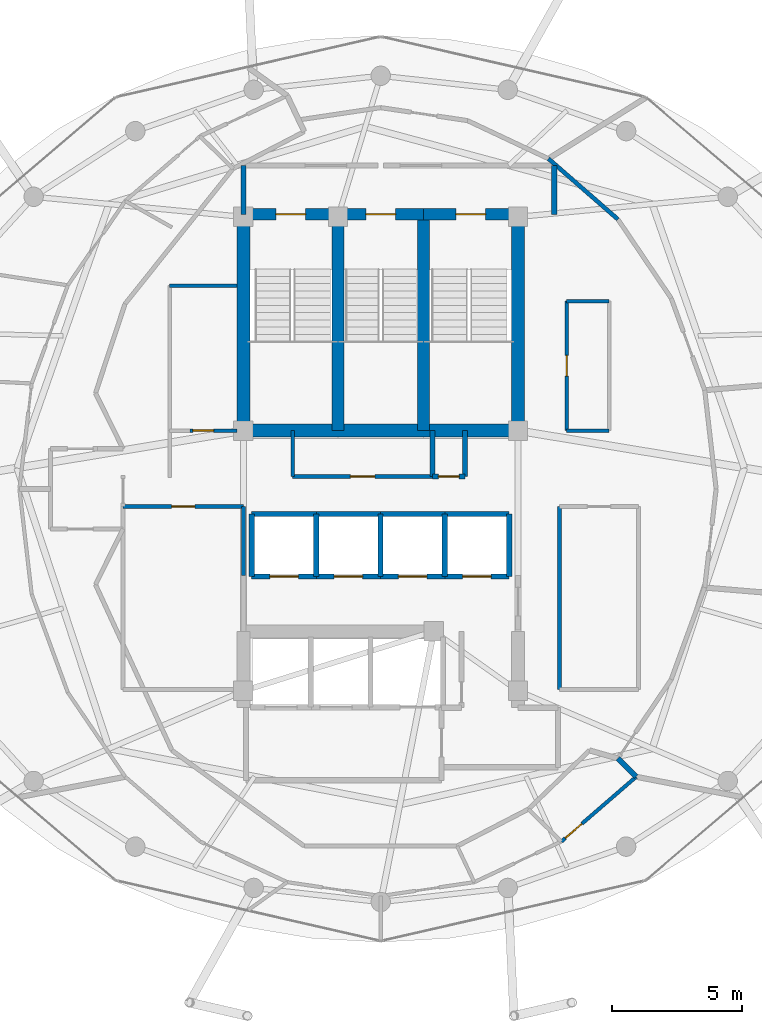
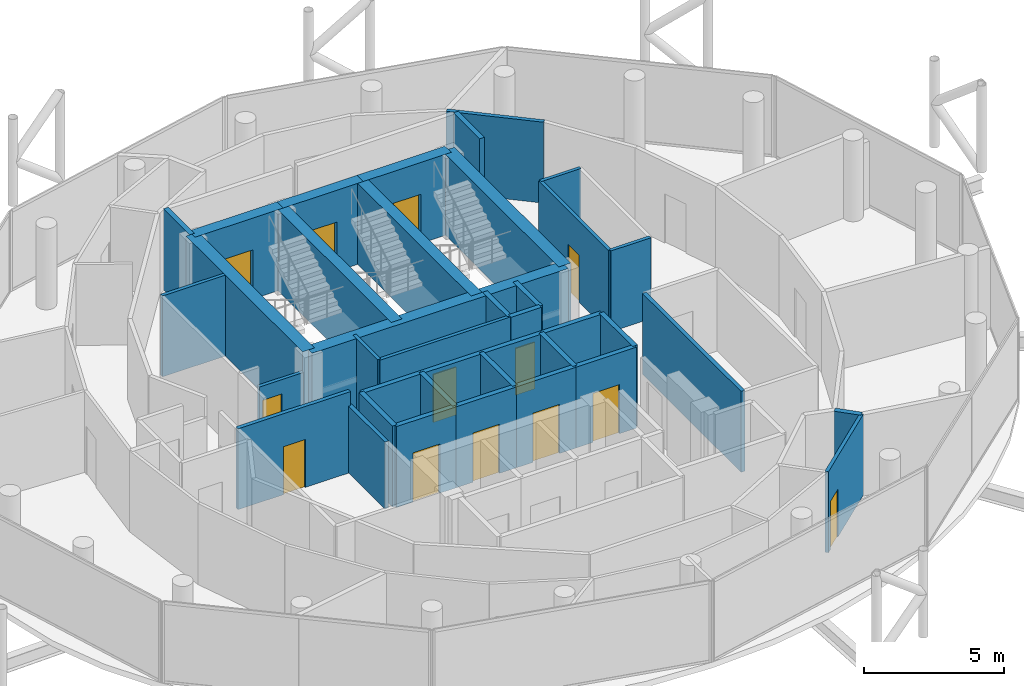
# One storey, part 21 of 24: 39 walls, 13 doors, 13 openings.
"""IFC4 building model written with IfcOpenShell, lengths in metres."""

from ifc_helpers import new_model, si_unit, direction, frame, frame_2d, origin, place, context, subcontext, project, spatial, rectangle, extrude, material, layer, layer_set, type_object, element, fill, save


model = new_model("IFC4")

# Units and contexts
model_context = context("Model", 3, precision=1e-05, world=origin(), true_north=direction((0.0, 1.0)))
body_context = subcontext(model_context, "Body", "Model", "MODEL_VIEW")
ifc_project = project(units=[si_unit("LENGTHUNIT", "METRE"), si_unit("AREAUNIT", "SQUARE_METRE"), si_unit("VOLUMEUNIT", "CUBIC_METRE"), si_unit("PLANEANGLEUNIT", "RADIAN"), si_unit("MASSUNIT", "GRAM", prefix="KILO")], contexts=[model_context])

# Site, building, storey
site_placement = place(None, origin())
site = spatial("IfcSite", under=ifc_project, at=site_placement, CompositionType="ELEMENT")
building_placement = place(site_placement, origin())
building = spatial("IfcBuilding", under=site, at=building_placement, Name="Nuhasar Tower", CompositionType="ELEMENT")
storey_placement = place(building_placement, frame((0.0, 0.0, 282.199951171875)))
storey = spatial("IfcBuildingStorey", under=building, at=storey_placement, Name="L70", CompositionType="ELEMENT", Elevation=282.199951171875)

# Wall, opening, door
ifc_material_1 = material(Name="Concrete C50/60", Category="concrete")
ifc_layer_1 = layer(ifc_material_1, 0.449951171875)
ifc_layer_set_1 = layer_set([ifc_layer_1], Name="Concrete C50/60")
wall_type_1 = type_object("IfcWallType", Name="WL-CORE-450", PredefinedType="SHEAR", material=ifc_layer_set_1)
wall_1_placement = place(storey_placement, frame((37.35009765625, 37.39990234375, 0.0), z_axis=(0.0, 0.0, 1.0), x_axis=(-1.0, 0.0, 0.0)))
wall_1 = element("IfcWall", 1, at=wall_1_placement, inside=storey, type_object=wall_type_1, Name="L70 Stairwell Shear Wall ST01-N", PredefinedType="SHEAR", context=body_context, shape_type="SweptSolid", body=[
    extrude(rectangle(XDim=3.650146484375, YDim=0.449951171875, at=frame_2d((1.8251953125, 0.0))), origin(), (0.0, 0.0, 1.0), 3.5400390625),
])
opening_1_placement = place(wall_1_placement, frame((1.25, 0.0, 0.0)))
opening_1 = element("IfcOpeningElement", 2, at=opening_1_placement, cuts=wall_1, Name="Opening DS-01", PredefinedType="OPENING", context=body_context, shape_type="SweptSolid", body=[
    extrude(rectangle(XDim=1.14990234375, YDim=2.14990234375, at=frame_2d((0.574951171875, 1.074951171875))), frame((0.0, 0.23486328125, 0.0), z_axis=(0.0, -1.0, 0.0), x_axis=(1.0, 0.0, 0.0)), (0.0, 0.0, 1.0), 0.469970703125),
])
ifc_material_2 = material(Name="Steel S355", Category="steel")
door_type_1 = type_object("IfcDoorType", Name="DR-STAIR-FD120-1150", OperationType="NOTDEFINED", PredefinedType="DOOR", material=ifc_material_2)
door_1_placement = place(opening_1_placement, origin())
door_1 = element("IfcDoor", 3, at=door_1_placement, inside=storey, type_object=door_type_1, Name="L70 Exit Stair ST-01 Door", OperationType="SINGLE_SWING_RIGHT", OverallHeight=2.14990234375, OverallWidth=1.14990234375, PredefinedType="DOOR", context=body_context, shape_type="SweptSolid", body=[
    extrude(rectangle(XDim=1.14990234375, YDim=2.14990234375, at=frame_2d((0.574951171875, 1.074951171875))), frame((0.0, 0.02490234375, 0.0), z_axis=(0.0, -1.0, 0.0), x_axis=(1.0, 0.0, 0.0)), (0.0, 0.0, 1.0), 0.050048828125),
])
fill(opening_1, door_1)

# Wall
wall_2_placement = place(storey_placement, frame((37.35009765625, 29.050048828125, 0.0), z_axis=(0.0, 0.0, 1.0), x_axis=(0.0, 1.0, 0.0)))
element("IfcWall", 4, at=wall_2_placement, inside=storey, type_object=wall_type_1, Name="L70 Stairwell Shear Wall ST01-E", PredefinedType="SHEAR", context=body_context, shape_type="SweptSolid", body=[
    extrude(rectangle(XDim=8.349853515625, YDim=0.449951171875, at=frame_2d((4.1748046875, 0.0))), origin(), (0.0, 0.0, 1.0), 3.5400390625),
])

# Wall, opening, door
wall_3_placement = place(storey_placement, frame((40.64990234375, 37.39990234375, 0.0), z_axis=(0.0, 0.0, 1.0), x_axis=(-1.0, 0.0, 0.0)))
wall_3 = element("IfcWall", 5, at=wall_3_placement, inside=storey, type_object=wall_type_1, Name="L70 Stairwell Shear Wall ST03-N", PredefinedType="SHEAR", context=body_context, shape_type="SweptSolid", body=[
    extrude(rectangle(XDim=3.2998046875, YDim=0.449951171875, at=frame_2d((1.64990234375, 0.0))), origin(), (0.0, 0.0, 1.0), 3.5400390625),
])
opening_2_placement = place(wall_3_placement, frame((1.074951171875, 0.0, 0.0)))
opening_2 = element("IfcOpeningElement", 6, at=opening_2_placement, cuts=wall_3, Name="Opening DS-01", PredefinedType="OPENING", context=body_context, shape_type="SweptSolid", body=[
    extrude(rectangle(XDim=1.14990234375, YDim=2.14990234375, at=frame_2d((0.574951171875, 1.074951171875))), frame((0.0, 0.23486328125, 0.0), z_axis=(0.0, -1.0, 0.0), x_axis=(1.0, 0.0, 0.0)), (0.0, 0.0, 1.0), 0.469970703125),
])
door_2_placement = place(opening_2_placement, origin())
door_2 = element("IfcDoor", 7, at=door_2_placement, inside=storey, type_object=door_type_1, Name="L70 Exit Stair ST-03 Door", OperationType="SINGLE_SWING_RIGHT", OverallHeight=2.14990234375, OverallWidth=1.14990234375, PredefinedType="DOOR", context=body_context, shape_type="SweptSolid", body=[
    extrude(rectangle(XDim=1.14990234375, YDim=2.14990234375, at=frame_2d((0.574951171875, 1.074951171875))), frame((0.0, 0.02490234375, 0.0), z_axis=(0.0, -1.0, 0.0), x_axis=(1.0, 0.0, 0.0)), (0.0, 0.0, 1.0), 0.050048828125),
])
fill(opening_2, door_2)

# Wall
wall_4_placement = place(storey_placement, frame((40.64990234375, 29.050048828125, 0.0), z_axis=(0.0, 0.0, 1.0), x_axis=(0.0, 1.0, 0.0)))
element("IfcWall", 8, at=wall_4_placement, inside=storey, type_object=wall_type_1, Name="L70 Stairwell Shear Wall ST03-E", PredefinedType="SHEAR", context=body_context, shape_type="SweptSolid", body=[
    extrude(rectangle(XDim=8.349853515625, YDim=0.449951171875, at=frame_2d((4.1748046875, 0.0))), origin(), (0.0, 0.0, 1.0), 3.5400390625),
])

# Wall, opening, door
wall_5_placement = place(storey_placement, frame((44.300048828125, 37.39990234375, 0.0), z_axis=(0.0, 0.0, 1.0), x_axis=(-1.0, 0.0, 0.0)))
wall_5 = element("IfcWall", 9, at=wall_5_placement, inside=storey, type_object=wall_type_1, Name="L70 Stairwell Shear Wall ST02-N", PredefinedType="SHEAR", context=body_context, shape_type="SweptSolid", body=[
    extrude(rectangle(XDim=3.650146484375, YDim=0.449951171875, at=frame_2d((1.8251953125, 0.0))), origin(), (0.0, 0.0, 1.0), 3.5400390625),
])
opening_3_placement = place(wall_5_placement, frame((1.25, 0.0, 0.0)))
opening_3 = element("IfcOpeningElement", 10, at=opening_3_placement, cuts=wall_5, Name="Opening DS-01", PredefinedType="OPENING", context=body_context, shape_type="SweptSolid", body=[
    extrude(rectangle(XDim=1.14990234375, YDim=2.14990234375, at=frame_2d((0.574951171875, 1.074951171875))), frame((0.0, 0.23486328125, 0.0), z_axis=(0.0, -1.0, 0.0), x_axis=(1.0, 0.0, 0.0)), (0.0, 0.0, 1.0), 0.469970703125),
])
door_3_placement = place(opening_3_placement, origin())
door_3 = element("IfcDoor", 11, at=door_3_placement, inside=storey, type_object=door_type_1, Name="L70 Exit Stair ST-02 Door", OperationType="SINGLE_SWING_LEFT", OverallHeight=2.14990234375, OverallWidth=1.14990234375, PredefinedType="DOOR", context=body_context, shape_type="SweptSolid", body=[
    extrude(rectangle(XDim=1.14990234375, YDim=2.14990234375, at=frame_2d((0.574951171875, 1.074951171875))), frame((0.0, 0.02490234375, 0.0), z_axis=(0.0, -1.0, 0.0), x_axis=(1.0, 0.0, 0.0)), (0.0, 0.0, 1.0), 0.050048828125),
])
fill(opening_3, door_3)

# Walls
ifc_layer_2 = layer(ifc_material_1, 0.5)
ifc_layer_set_2 = layer_set([ifc_layer_2], Name="Concrete C50/60")
wall_type_2 = type_object("IfcWallType", Name="WL-CORE-500", PredefinedType="SHEAR", material=ifc_layer_set_2)
for number, where, z_axis, x_axis, name in (
    (12, (33.699951171875, 29.050048828125, 0.0), (0.0, 0.0, 1.0), (0.0, 1.0, 0.0), "L70 Core Shear Wall CW-NW CW-500"),
    (13, (44.300048828125, 29.050048828125, 0.0), (0.0, 0.0, 1.0), (0.0, 1.0, 0.0), "L70 Core Shear Wall CW-NE CW-500"),
):
    element("IfcWall", number, at=place(storey_placement, frame(where, z_axis=z_axis, x_axis=x_axis)), inside=storey, type_object=wall_type_2, Name=name, PredefinedType="SHEAR", context=body_context, shape_type="SweptSolid", body=[
        extrude(rectangle(XDim=8.349853515625, YDim=0.5, at=frame_2d((4.1748046875, 0.0))), origin(), (0.0, 0.0, 1.0), 3.5400390625),
    ])
wall_6_placement = place(storey_placement, frame((33.699951171875, 29.050048828125, 0.0), z_axis=(0.0, 0.0, 1.0), x_axis=(1.0, 0.0, 0.0)))
element("IfcWall", 14, at=wall_6_placement, inside=storey, type_object=wall_type_2, Name="L70 Core Shear Wall CW-N1 CW-500", PredefinedType="SHEAR", context=body_context, shape_type="SweptSolid", body=[
    extrude(rectangle(XDim=10.60009765625, YDim=0.5, at=frame_2d((5.300048828125, 0.0))), origin(), (0.0, 0.0, 1.0), 3.5400390625),
])
ifc_material_3 = material(Name="Gypsum Board", Category="gypsum")
ifc_layer_3 = layer(ifc_material_3, 0.159912109375)
ifc_layer_set_3 = layer_set([ifc_layer_3], Name="Gypsum Board")
wall_type_3 = type_object("IfcWallType", Name="WL-CORR-160", PredefinedType="PARTITIONING", material=ifc_layer_set_3)
wall_7_placement = place(storey_placement, frame((33.699951171875, 23.449951171875, 0.0), z_axis=(0.0, 0.0, 1.0), x_axis=(0.0, 1.0, 0.0)))
element("IfcWall", 15, at=wall_7_placement, inside=storey, type_object=wall_type_3, Name="L70 Interior Partition RECL-B1-E", PredefinedType="PARTITIONING", context=body_context, shape_type="SweptSolid", body=[
    extrude(rectangle(XDim=2.670166015625, YDim=0.159912109375, at=frame_2d((1.3349609375, 0.0))), origin(), (0.0, 0.0, 1.0), 2.925048828125),
])

# Wall, opening, door
wall_8_placement = place(storey_placement, frame((33.699951171875, 26.1201171875, 0.0), z_axis=(0.0, 0.0, 1.0), x_axis=(-1.0, 0.0, 0.0)))
wall_8 = element("IfcWall", 16, at=wall_8_placement, inside=storey, type_object=wall_type_3, Name="L70 Interior Partition RECL-B1-N", PredefinedType="PARTITIONING", context=body_context, shape_type="SweptSolid", body=[
    extrude(rectangle(XDim=4.64990234375, YDim=0.159912109375, at=frame_2d((2.324951171875, 0.0))), origin(), (0.0, 0.0, 1.0), 3.5400390625),
])
opening_4_placement = place(wall_8_placement, frame((1.875, 0.0, 0.0)))
opening_4 = element("IfcOpeningElement", 17, at=opening_4_placement, cuts=wall_8, Name="Opening DR-01", PredefinedType="OPENING", context=body_context, shape_type="SweptSolid", body=[
    extrude(rectangle(XDim=0.89990234375, YDim=2.10009765625, at=frame_2d((0.449951171875, 1.050048828125))), frame((0.0, 0.08984375, 0.0), z_axis=(0.0, -1.0, 0.0), x_axis=(1.0, 0.0, 0.0)), (0.0, 0.0, 1.0), 0.179931640625),
])
ifc_material_4 = material(Name="Timber Oak", Category="wood")
door_type_2 = type_object("IfcDoorType", Name="DR-ROOM-900", OperationType="NOTDEFINED", PredefinedType="DOOR", material=ifc_material_4)
door_4_placement = place(opening_4_placement, origin())
door_4 = element("IfcDoor", 18, at=door_4_placement, inside=storey, type_object=door_type_2, Name="L70 Butler Store Door", OperationType="SINGLE_SWING_LEFT", OverallHeight=2.10009765625, OverallWidth=0.89990234375, PredefinedType="DOOR", context=body_context, shape_type="SweptSolid", body=[
    extrude(rectangle(XDim=0.89990234375, YDim=2.10009765625, at=frame_2d((0.449951171875, 1.050048828125))), frame((0.0, 0.02490234375, 0.0), z_axis=(0.0, -1.0, 0.0), x_axis=(1.0, 0.0, 0.0)), (0.0, 0.0, 1.0), 0.050048828125),
])
fill(opening_4, door_4)

# Walls
wall_9_placement = place(storey_placement, frame((45.89990234375, 19.050048828125, 0.0), z_axis=(0.0, 0.0, 1.0), x_axis=(0.0, 1.0, 0.0)))
element("IfcWall", 19, at=wall_9_placement, inside=storey, type_object=wall_type_3, Name="L70 Interior Partition RECL-B2-W", PredefinedType="PARTITIONING", context=body_context, shape_type="SweptSolid", body=[
    extrude(rectangle(XDim=7.070068359375, YDim=0.159912109375, at=frame_2d((3.53515625, 0.0))), origin(), (0.0, 0.0, 1.0), 3.5400390625),
])
wall_10_placement = place(storey_placement, frame((48.156982421875, 37.208984375, 0.0), z_axis=(0.0, 0.0, 1.0), x_axis=(-0.753625455067, 0.65730409513, 0.0)))
element("IfcWall", 20, at=wall_10_placement, inside=storey, type_object=wall_type_3, Name="L70 Interior Partition CORR-06", PredefinedType="PARTITIONING", context=body_context, shape_type="SweptSolid", body=[
    extrude(rectangle(XDim=3.55859375, YDim=0.159912109375, at=frame_2d((1.779296875, 0.0))), origin(), (0.0, 0.0, 1.0), 3.5400390625),
])
ifc_material_5 = material(Name="Concrete C45/55", Category="concrete")
ifc_layer_4 = layer(ifc_material_5, 0.199951171875)
ifc_layer_set_4 = layer_set([ifc_layer_4], Name="Concrete C45/55")
wall_type_4 = type_object("IfcWallType", Name="WL-LOBBY-200", PredefinedType="SOLIDWALL", material=ifc_layer_set_4)
for number, where, z_axis, x_axis, name in (
    (21, (33.699951171875, 37.39990234375, 0.0), (0.0, 0.0, 1.0), (0.0, 1.0, 0.0), "L70 Interior Partition NSL-W"),
    (22, (45.699951171875, 37.39990234375, 0.0), (0.0, 0.0, 1.0), (0.0, 1.0, 0.0), "L70 Interior Partition NSL-E"),
):
    element("IfcWall", number, at=place(storey_placement, frame(where, z_axis=z_axis, x_axis=x_axis)), inside=storey, type_object=wall_type_4, Name=name, PredefinedType="SOLIDWALL", context=body_context, shape_type="SweptSolid", body=[
        extrude(rectangle(XDim=1.880126953125, YDim=0.199951171875, at=frame_2d((0.93994140625, 0.0))), origin(), (0.0, 0.0, 1.0), 3.5400390625),
    ])
ifc_layer_5 = layer(ifc_material_5, 0.199951171875)
ifc_layer_set_5 = layer_set([ifc_layer_5], Name="Concrete C45/55")
wall_type_5 = type_object("IfcWallType", Name="WL-SHAFT-200", PredefinedType="SOLIDWALL", material=ifc_layer_set_5)
for number, where, z_axis, x_axis, name in (
    (23, (41.0, 27.280029296875, 0.0), (0.0, 0.0, 1.0), (0.0, 1.0, 0.0), "L70 Interior Partition RSRN-W"),
    (24, (42.260009765625, 27.280029296875, 0.0), (0.0, 0.0, 1.0), (0.0, 1.0, 0.0), "L70 Interior Partition RSRN-E"),
):
    element("IfcWall", number, at=place(storey_placement, frame(where, z_axis=z_axis, x_axis=x_axis)), inside=storey, type_object=wall_type_5, Name=name, PredefinedType="SOLIDWALL", context=body_context, shape_type="SweptSolid", body=[
        extrude(rectangle(XDim=1.77001953125, YDim=0.199951171875, at=frame_2d((0.885009765625, 0.0))), origin(), (0.0, 0.0, 1.0), 3.5400390625),
    ])

# Wall, opening, door
wall_11_placement = place(storey_placement, frame((41.0, 27.280029296875, 0.0), z_axis=(0.0, 0.0, 1.0), x_axis=(1.0, 0.0, 0.0)))
wall_11 = element("IfcWall", 25, at=wall_11_placement, inside=storey, type_object=wall_type_5, Name="L70 Interior Partition RSRN-S", PredefinedType="SOLIDWALL", context=body_context, shape_type="SweptSolid", body=[
    extrude(rectangle(XDim=1.260009765625, YDim=0.199951171875, at=frame_2d((0.6298828125, 0.0))), origin(), (0.0, 0.0, 1.0), 3.5400390625),
])
opening_5_placement = place(wall_11_placement, frame((0.22998046875, 0.0, 0.0)))
opening_5 = element("IfcOpeningElement", 26, at=opening_5_placement, cuts=wall_11, Name="Opening DM-01", PredefinedType="OPENING", context=body_context, shape_type="SweptSolid", body=[
    extrude(rectangle(XDim=0.800048828125, YDim=2.050048828125, at=frame_2d((0.39990234375, 1.02490234375))), frame((0.0, 0.10986328125, 0.0), z_axis=(0.0, -1.0, 0.0), x_axis=(1.0, 0.0, 0.0)), (0.0, 0.0, 1.0), 0.219970703125),
])
door_type_3 = type_object("IfcDoorType", Name="DR-RISER-FD60-800", OperationType="NOTDEFINED", PredefinedType="DOOR", material=ifc_material_2)
door_5_placement = place(opening_5_placement, origin())
door_5 = element("IfcDoor", 27, at=door_5_placement, inside=storey, type_object=door_type_3, Name="L70 North Smoke Riser Door", OperationType="SINGLE_SWING_RIGHT", OverallHeight=2.050048828125, OverallWidth=0.800048828125, PredefinedType="DOOR", context=body_context, shape_type="SweptSolid", body=[
    extrude(rectangle(XDim=0.800048828125, YDim=2.050048828125, at=frame_2d((0.39990234375, 1.02490234375))), frame((0.0, 0.02490234375, 0.0), z_axis=(0.0, -1.0, 0.0), x_axis=(1.0, 0.0, 0.0)), (0.0, 0.0, 1.0), 0.050048828125),
])
fill(opening_5, door_5)

wall_12_placement = place(storey_placement, frame((34.02001953125, 23.419921875, 0.0), z_axis=(0.0, 0.0, 1.0), x_axis=(1.0, 0.0, 0.0)))
wall_12 = element("IfcWall", 28, at=wall_12_placement, inside=storey, type_object=wall_type_5, Name="L70 Interior Partition SHF-PL-H01-S", PredefinedType="SOLIDWALL", context=body_context, shape_type="SweptSolid", body=[
    extrude(rectangle(XDim=2.5, YDim=0.199951171875, at=frame_2d((1.25, 0.0))), origin(), (0.0, 0.0, 1.0), 3.5400390625),
])
opening_6_placement = place(wall_12_placement, frame((0.699951171875, 0.0, 0.0)))
opening_6 = element("IfcOpeningElement", 29, at=opening_6_placement, cuts=wall_12, Name="Opening LD-H01", PredefinedType="OPENING", context=body_context, shape_type="SweptSolid", body=[
    extrude(rectangle(XDim=1.10009765625, YDim=2.14990234375, at=frame_2d((0.550048828125, 1.074951171875))), frame((0.0, 0.10986328125, 0.0), z_axis=(0.0, -1.0, 0.0), x_axis=(1.0, 0.0, 0.0)), (0.0, 0.0, 1.0), 0.219970703125),
])
ifc_material_6 = material(Name="Stainless Steel 316L", Category="steel")
door_type_4 = type_object("IfcDoorType", Name="LD-PAX-1100", OperationType="DOUBLE_DOOR_SLIDING", PredefinedType="DOOR", material=ifc_material_6)
door_6_placement = place(opening_6_placement, origin())
door_6 = element("IfcDoor", 30, at=door_6_placement, inside=storey, type_object=door_type_4, Name="L70 Lift Landing Door PL-H01", OperationType="DOUBLE_DOOR_SLIDING", OverallHeight=2.14990234375, OverallWidth=1.10009765625, PredefinedType="DOOR", context=body_context, shape_type="SweptSolid", body=[
    extrude(rectangle(XDim=1.10009765625, YDim=2.14990234375, at=frame_2d((0.550048828125, 1.074951171875))), frame((0.0, 0.02490234375, 0.0), z_axis=(0.0, -1.0, 0.0), x_axis=(1.0, 0.0, 0.0)), (0.0, 0.0, 1.0), 0.050048828125),
])
fill(opening_6, door_6)

# Walls
wall_13_placement = place(storey_placement, frame((34.02001953125, 25.830078125, 0.0), z_axis=(0.0, 0.0, 1.0), x_axis=(1.0, 0.0, 0.0)))
element("IfcWall", 31, at=wall_13_placement, inside=storey, type_object=wall_type_5, Name="L70 Interior Partition SHF-PL-H01-N", PredefinedType="SOLIDWALL", context=body_context, shape_type="SweptSolid", body=[
    extrude(rectangle(XDim=2.5, YDim=0.199951171875, at=frame_2d((1.25, 0.0))), origin(), (0.0, 0.0, 1.0), 3.5400390625),
])
for number, where, z_axis, x_axis, name in (
    (32, (34.02001953125, 23.419921875, 0.0), (0.0, 0.0, 1.0), (0.0, 1.0, 0.0), "L70 Interior Partition SHF-PL-H01-W"),
    (33, (36.510009765625, 23.419921875, 0.0), (0.0, 0.0, 1.0), (0.0, 1.0, 0.0), "L70 Interior Partition SHF-PL-H01-E"),
):
    element("IfcWall", number, at=place(storey_placement, frame(where, z_axis=z_axis, x_axis=x_axis)), inside=storey, type_object=wall_type_5, Name=name, PredefinedType="SOLIDWALL", context=body_context, shape_type="SweptSolid", body=[
        extrude(rectangle(XDim=2.41015625, YDim=0.199951171875, at=frame_2d((1.205078125, 0.0))), origin(), (0.0, 0.0, 1.0), 3.5400390625),
    ])

# Wall, opening, door
wall_14_placement = place(storey_placement, frame((36.5, 23.419921875, 0.0), z_axis=(0.0, 0.0, 1.0), x_axis=(1.0, 0.0, 0.0)))
wall_14 = element("IfcWall", 34, at=wall_14_placement, inside=storey, type_object=wall_type_5, Name="L70 Interior Partition SHF-PL-H02-S", PredefinedType="SOLIDWALL", context=body_context, shape_type="SweptSolid", body=[
    extrude(rectangle(XDim=2.5, YDim=0.199951171875, at=frame_2d((1.25, 0.0))), origin(), (0.0, 0.0, 1.0), 3.5400390625),
])
opening_7_placement = place(wall_14_placement, frame((0.699951171875, 0.0, 0.0)))
opening_7 = element("IfcOpeningElement", 35, at=opening_7_placement, cuts=wall_14, Name="Opening LD-H02", PredefinedType="OPENING", context=body_context, shape_type="SweptSolid", body=[
    extrude(rectangle(XDim=1.10009765625, YDim=2.14990234375, at=frame_2d((0.550048828125, 1.074951171875))), frame((0.0, 0.10986328125, 0.0), z_axis=(0.0, -1.0, 0.0), x_axis=(1.0, 0.0, 0.0)), (0.0, 0.0, 1.0), 0.219970703125),
])
door_7_placement = place(opening_7_placement, origin())
door_7 = element("IfcDoor", 36, at=door_7_placement, inside=storey, type_object=door_type_4, Name="L70 Lift Landing Door PL-H02", OperationType="DOUBLE_DOOR_SLIDING", OverallHeight=2.14990234375, OverallWidth=1.10009765625, PredefinedType="DOOR", context=body_context, shape_type="SweptSolid", body=[
    extrude(rectangle(XDim=1.10009765625, YDim=2.14990234375, at=frame_2d((0.550048828125, 1.074951171875))), frame((0.0, 0.02490234375, 0.0), z_axis=(0.0, -1.0, 0.0), x_axis=(1.0, 0.0, 0.0)), (0.0, 0.0, 1.0), 0.050048828125),
])
fill(opening_7, door_7)

# Walls
wall_15_placement = place(storey_placement, frame((36.5, 25.830078125, 0.0), z_axis=(0.0, 0.0, 1.0), x_axis=(1.0, 0.0, 0.0)))
element("IfcWall", 37, at=wall_15_placement, inside=storey, type_object=wall_type_5, Name="L70 Interior Partition SHF-PL-H02-N", PredefinedType="SOLIDWALL", context=body_context, shape_type="SweptSolid", body=[
    extrude(rectangle(XDim=2.5, YDim=0.199951171875, at=frame_2d((1.25, 0.0))), origin(), (0.0, 0.0, 1.0), 3.5400390625),
])
wall_16_placement = place(storey_placement, frame((38.989990234375, 23.419921875, 0.0), z_axis=(0.0, 0.0, 1.0), x_axis=(0.0, 1.0, 0.0)))
element("IfcWall", 38, at=wall_16_placement, inside=storey, type_object=wall_type_5, Name="L70 Interior Partition SHF-PL-H02-E", PredefinedType="SOLIDWALL", context=body_context, shape_type="SweptSolid", body=[
    extrude(rectangle(XDim=2.41015625, YDim=0.199951171875, at=frame_2d((1.205078125, 0.0))), origin(), (0.0, 0.0, 1.0), 3.5400390625),
])

# Wall, opening, door
wall_17_placement = place(storey_placement, frame((38.97998046875, 23.419921875, 0.0), z_axis=(0.0, 0.0, 1.0), x_axis=(1.0, 0.0, 0.0)))
wall_17 = element("IfcWall", 39, at=wall_17_placement, inside=storey, type_object=wall_type_5, Name="L70 Interior Partition SHF-PL-H03-S", PredefinedType="SOLIDWALL", context=body_context, shape_type="SweptSolid", body=[
    extrude(rectangle(XDim=2.5, YDim=0.199951171875, at=frame_2d((1.25, 0.0))), origin(), (0.0, 0.0, 1.0), 3.5400390625),
])
opening_8_placement = place(wall_17_placement, frame((0.699951171875, 0.0, 0.0)))
opening_8 = element("IfcOpeningElement", 40, at=opening_8_placement, cuts=wall_17, Name="Opening LD-H03", PredefinedType="OPENING", context=body_context, shape_type="SweptSolid", body=[
    extrude(rectangle(XDim=1.10009765625, YDim=2.14990234375, at=frame_2d((0.550048828125, 1.074951171875))), frame((0.0, 0.10986328125, 0.0), z_axis=(0.0, -1.0, 0.0), x_axis=(1.0, 0.0, 0.0)), (0.0, 0.0, 1.0), 0.219970703125),
])
door_8_placement = place(opening_8_placement, origin())
door_8 = element("IfcDoor", 41, at=door_8_placement, inside=storey, type_object=door_type_4, Name="L70 Lift Landing Door PL-H03", OperationType="DOUBLE_DOOR_SLIDING", OverallHeight=2.14990234375, OverallWidth=1.10009765625, PredefinedType="DOOR", context=body_context, shape_type="SweptSolid", body=[
    extrude(rectangle(XDim=1.10009765625, YDim=2.14990234375, at=frame_2d((0.550048828125, 1.074951171875))), frame((0.0, 0.02490234375, 0.0), z_axis=(0.0, -1.0, 0.0), x_axis=(1.0, 0.0, 0.0)), (0.0, 0.0, 1.0), 0.050048828125),
])
fill(opening_8, door_8)

# Walls
wall_18_placement = place(storey_placement, frame((38.97998046875, 25.830078125, 0.0), z_axis=(0.0, 0.0, 1.0), x_axis=(1.0, 0.0, 0.0)))
element("IfcWall", 42, at=wall_18_placement, inside=storey, type_object=wall_type_5, Name="L70 Interior Partition SHF-PL-H03-N", PredefinedType="SOLIDWALL", context=body_context, shape_type="SweptSolid", body=[
    extrude(rectangle(XDim=2.5, YDim=0.199951171875, at=frame_2d((1.25, 0.0))), origin(), (0.0, 0.0, 1.0), 3.5400390625),
])
wall_19_placement = place(storey_placement, frame((41.469970703125, 23.419921875, 0.0), z_axis=(0.0, 0.0, 1.0), x_axis=(0.0, 1.0, 0.0)))
element("IfcWall", 43, at=wall_19_placement, inside=storey, type_object=wall_type_5, Name="L70 Interior Partition SHF-PL-H03-E", PredefinedType="SOLIDWALL", context=body_context, shape_type="SweptSolid", body=[
    extrude(rectangle(XDim=2.41015625, YDim=0.199951171875, at=frame_2d((1.205078125, 0.0))), origin(), (0.0, 0.0, 1.0), 3.5400390625),
])

# Wall, opening, door
wall_20_placement = place(storey_placement, frame((41.4599609375, 23.419921875, 0.0), z_axis=(0.0, 0.0, 1.0), x_axis=(1.0, 0.0, 0.0)))
wall_20 = element("IfcWall", 44, at=wall_20_placement, inside=storey, type_object=wall_type_5, Name="L70 Interior Partition SHF-PL-H04-S", PredefinedType="SOLIDWALL", context=body_context, shape_type="SweptSolid", body=[
    extrude(rectangle(XDim=2.5, YDim=0.199951171875, at=frame_2d((1.25, 0.0))), origin(), (0.0, 0.0, 1.0), 3.5400390625),
])
opening_9_placement = place(wall_20_placement, frame((0.699951171875, 0.0, 0.0)))
opening_9 = element("IfcOpeningElement", 45, at=opening_9_placement, cuts=wall_20, Name="Opening LD-H04", PredefinedType="OPENING", context=body_context, shape_type="SweptSolid", body=[
    extrude(rectangle(XDim=1.10009765625, YDim=2.14990234375, at=frame_2d((0.550048828125, 1.074951171875))), frame((0.0, 0.10986328125, 0.0), z_axis=(0.0, -1.0, 0.0), x_axis=(1.0, 0.0, 0.0)), (0.0, 0.0, 1.0), 0.219970703125),
])
door_9_placement = place(opening_9_placement, origin())
door_9 = element("IfcDoor", 46, at=door_9_placement, inside=storey, type_object=door_type_4, Name="L70 Lift Landing Door PL-H04", OperationType="DOUBLE_DOOR_SLIDING", OverallHeight=2.14990234375, OverallWidth=1.10009765625, PredefinedType="DOOR", context=body_context, shape_type="SweptSolid", body=[
    extrude(rectangle(XDim=1.10009765625, YDim=2.14990234375, at=frame_2d((0.550048828125, 1.074951171875))), frame((0.0, 0.02490234375, 0.0), z_axis=(0.0, -1.0, 0.0), x_axis=(1.0, 0.0, 0.0)), (0.0, 0.0, 1.0), 0.050048828125),
])
fill(opening_9, door_9)

# Walls
wall_21_placement = place(storey_placement, frame((41.4599609375, 25.830078125, 0.0), z_axis=(0.0, 0.0, 1.0), x_axis=(1.0, 0.0, 0.0)))
element("IfcWall", 47, at=wall_21_placement, inside=storey, type_object=wall_type_5, Name="L70 Interior Partition SHF-PL-H04-N", PredefinedType="SOLIDWALL", context=body_context, shape_type="SweptSolid", body=[
    extrude(rectangle(XDim=2.5, YDim=0.199951171875, at=frame_2d((1.25, 0.0))), origin(), (0.0, 0.0, 1.0), 3.5400390625),
])
wall_22_placement = place(storey_placement, frame((43.9599609375, 23.419921875, 0.0), z_axis=(0.0, 0.0, 1.0), x_axis=(0.0, 1.0, 0.0)))
element("IfcWall", 48, at=wall_22_placement, inside=storey, type_object=wall_type_5, Name="L70 Interior Partition SHF-PL-H04-E", PredefinedType="SOLIDWALL", context=body_context, shape_type="SweptSolid", body=[
    extrude(rectangle(XDim=2.41015625, YDim=0.199951171875, at=frame_2d((1.205078125, 0.0))), origin(), (0.0, 0.0, 1.0), 3.5400390625),
])
ifc_material_7 = material(Name="Concrete C40/50 precast", Category="concrete")
ifc_layer_6 = layer(ifc_material_7, 0.199951171875)
ifc_layer_set_6 = layer_set([ifc_layer_6], Name="Concrete C40/50 precast")
wall_type_6 = type_object("IfcWallType", Name="WL-UNIT-200", PredefinedType="PARTITIONING", material=ifc_layer_set_6)
wall_23_placement = place(storey_placement, frame((48.156982421875, 16.39111328125, 0.0), z_axis=(0.0, 0.0, 1.0), x_axis=(0.707106781187, -0.707106781187, 0.0)))
element("IfcWall", 49, at=wall_23_placement, inside=storey, type_object=wall_type_6, Name="L70 Interior Partition URAD-42-SW-S2", PredefinedType="PARTITIONING", context=body_context, shape_type="SweptSolid", body=[
    extrude(rectangle(XDim=1.0, YDim=0.199951171875, at=frame_2d((0.5, 0.0))), origin(), (0.0, 0.0, 1.0), 3.5400390625),
])
ifc_layer_7 = layer(ifc_material_7, 0.139892578125)
ifc_layer_set_7 = layer_set([ifc_layer_7], Name="Concrete C40/50 precast")
wall_type_7 = type_object("IfcWallType", Name="WL-WET-140", PredefinedType="PARTITIONING", material=ifc_layer_set_7)
wall_24_placement = place(storey_placement, frame((35.60009765625, 27.280029296875, 0.0), z_axis=(0.0, 0.0, 1.0), x_axis=(0.0, 1.0, 0.0)))
element("IfcWall", 50, at=wall_24_placement, inside=storey, type_object=wall_type_7, Name="L70 Interior Partition CSVC-W", PredefinedType="PARTITIONING", context=body_context, shape_type="SweptSolid", body=[
    extrude(rectangle(XDim=1.77001953125, YDim=0.139892578125, at=frame_2d((0.885009765625, 0.0))), origin(), (0.0, 0.0, 1.0), 3.5400390625),
])

# Wall, opening, door
wall_25_placement = place(storey_placement, frame((35.60009765625, 27.280029296875, 0.0), z_axis=(0.0, 0.0, 1.0), x_axis=(1.0, 0.0, 0.0)))
wall_25 = element("IfcWall", 51, at=wall_25_placement, inside=storey, type_object=wall_type_7, Name="L70 Interior Partition CSVC-S", PredefinedType="PARTITIONING", context=body_context, shape_type="SweptSolid", body=[
    extrude(rectangle(XDim=5.39990234375, YDim=0.139892578125, at=frame_2d((2.699951171875, 0.0))), origin(), (0.0, 0.0, 1.0), 3.5400390625),
])
opening_10_placement = place(wall_25_placement, frame((2.22509765625, 0.0, 0.0)))
opening_10 = element("IfcOpeningElement", 52, at=opening_10_placement, cuts=wall_25, Name="Opening DA-01", PredefinedType="OPENING", context=body_context, shape_type="SweptSolid", body=[
    extrude(rectangle(XDim=0.949951171875, YDim=2.10009765625, at=frame_2d((0.47509765625, 1.050048828125))), frame((0.0, 0.080078125, 0.0), z_axis=(0.0, -1.0, 0.0), x_axis=(1.0, 0.0, 0.0)), (0.0, 0.0, 1.0), 0.159912109375),
])
door_type_5 = type_object("IfcDoorType", Name="DR-ACCWC-950", OperationType="NOTDEFINED", PredefinedType="DOOR", material=ifc_material_4)
door_10_placement = place(opening_10_placement, origin())
door_10 = element("IfcDoor", 53, at=door_10_placement, inside=storey, type_object=door_type_5, Name="L70 Core Accessible Restroom Door", OperationType="SINGLE_SWING_LEFT", OverallHeight=2.10009765625, OverallWidth=0.949951171875, PredefinedType="DOOR", context=body_context, shape_type="SweptSolid", body=[
    extrude(rectangle(XDim=0.949951171875, YDim=2.10009765625, at=frame_2d((0.47509765625, 1.050048828125))), frame((0.0, 0.02490234375, 0.0), z_axis=(0.0, -1.0, 0.0), x_axis=(1.0, 0.0, 0.0)), (0.0, 0.0, 1.0), 0.050048828125),
])
fill(opening_10, door_10)

wall_26_placement = place(storey_placement, frame((31.6298828125, 29.050048828125, 0.0), z_axis=(0.0, 0.0, 1.0), x_axis=(1.0, 0.0, 0.0)))
wall_26 = element("IfcWall", 54, at=wall_26_placement, inside=storey, type_object=wall_type_7, Name="L70 Interior Partition K3-NW-S", PredefinedType="PARTITIONING", context=body_context, shape_type="SweptSolid", body=[
    extrude(rectangle(XDim=1.820068359375, YDim=0.139892578125, at=frame_2d((0.91015625, 0.0))), origin(), (0.0, 0.0, 1.0), 2.679931640625),
])
opening_11_placement = place(wall_26_placement, frame((0.1201171875, 0.0, 0.0)))
opening_11 = element("IfcOpeningElement", 55, at=opening_11_placement, cuts=wall_26, Name="Opening DM-01", PredefinedType="OPENING", context=body_context, shape_type="SweptSolid", body=[
    extrude(rectangle(XDim=0.800048828125, YDim=2.050048828125, at=frame_2d((0.39990234375, 1.02490234375))), frame((0.0, 0.080078125, 0.0), z_axis=(0.0, -1.0, 0.0), x_axis=(1.0, 0.0, 0.0)), (0.0, 0.0, 1.0), 0.159912109375),
])
door_11_placement = place(opening_11_placement, origin())
door_11 = element("IfcDoor", 56, at=door_11_placement, inside=storey, type_object=door_type_3, Name="L70 NW Electrical Room Door", OperationType="SINGLE_SWING_LEFT", OverallHeight=2.050048828125, OverallWidth=0.800048828125, PredefinedType="DOOR", context=body_context, shape_type="SweptSolid", body=[
    extrude(rectangle(XDim=0.800048828125, YDim=2.050048828125, at=frame_2d((0.39990234375, 1.02490234375))), frame((0.0, 0.02490234375, 0.0), z_axis=(0.0, -1.0, 0.0), x_axis=(1.0, 0.0, 0.0)), (0.0, 0.0, 1.0), 0.050048828125),
])
fill(opening_11, door_11)

# Wall
wall_27_placement = place(storey_placement, frame((30.85009765625, 34.64990234375, 0.0), z_axis=(0.0, 0.0, 1.0), x_axis=(1.0, 0.0, 0.0)))
element("IfcWall", 57, at=wall_27_placement, inside=storey, type_object=wall_type_7, Name="L70 Interior Partition K3-NW-N", PredefinedType="PARTITIONING", context=body_context, shape_type="SweptSolid", body=[
    extrude(rectangle(XDim=2.599853515625, YDim=0.139892578125, at=frame_2d((1.2998046875, 0.0))), origin(), (0.0, 0.0, 1.0), 3.5400390625),
])

# Wall, opening, door
wall_28_placement = place(storey_placement, frame((46.179931640625, 34.050048828125, 0.0), z_axis=(0.0, 0.0, 1.0), x_axis=(0.0, -1.0, 0.0)))
wall_28 = element("IfcWall", 58, at=wall_28_placement, inside=storey, type_object=wall_type_7, Name="L70 Interior Partition K3-NE-W", PredefinedType="PARTITIONING", context=body_context, shape_type="SweptSolid", body=[
    extrude(rectangle(XDim=5.0, YDim=0.139892578125, at=frame_2d((2.5, 0.0))), origin(), (0.0, 0.0, 1.0), 3.5400390625),
])
opening_12_placement = place(wall_28_placement, frame((2.10009765625, 0.0, 0.0)))
opening_12 = element("IfcOpeningElement", 59, at=opening_12_placement, cuts=wall_28, Name="Opening DM-01", PredefinedType="OPENING", context=body_context, shape_type="SweptSolid", body=[
    extrude(rectangle(XDim=0.800048828125, YDim=2.050048828125, at=frame_2d((0.39990234375, 1.02490234375))), frame((0.0, 0.080078125, 0.0), z_axis=(0.0, -1.0, 0.0), x_axis=(1.0, 0.0, 0.0)), (0.0, 0.0, 1.0), 0.159912109375),
])
door_12_placement = place(opening_12_placement, origin())
door_12 = element("IfcDoor", 60, at=door_12_placement, inside=storey, type_object=door_type_3, Name="L70 NE Switchgear Room Door", OperationType="SINGLE_SWING_RIGHT", OverallHeight=2.050048828125, OverallWidth=0.800048828125, PredefinedType="DOOR", context=body_context, shape_type="SweptSolid", body=[
    extrude(rectangle(XDim=0.800048828125, YDim=2.050048828125, at=frame_2d((0.39990234375, 1.02490234375))), frame((0.0, 0.02490234375, 0.0), z_axis=(0.0, -1.0, 0.0), x_axis=(1.0, 0.0, 0.0)), (0.0, 0.0, 1.0), 0.050048828125),
])
fill(opening_12, door_12)

# Walls
for number, where, z_axis, x_axis, name in (
    (61, (46.179931640625, 29.050048828125, 0.0), (0.0, 0.0, 1.0), (1.0, 0.0, 0.0), "L70 Interior Partition K3-NE-S"),
    (62, (46.179931640625, 34.050048828125, 0.0), (0.0, 0.0, 1.0), (1.0, 0.0, 0.0), "L70 Interior Partition K3-NE-N"),
):
    element("IfcWall", number, at=place(storey_placement, frame(where, z_axis=z_axis, x_axis=x_axis)), inside=storey, type_object=wall_type_7, Name=name, PredefinedType="PARTITIONING", context=body_context, shape_type="SweptSolid", body=[
        extrude(rectangle(XDim=1.64013671875, YDim=0.139892578125, at=frame_2d((0.820068359375, 0.0))), origin(), (0.0, 0.0, 1.0), 3.5400390625),
    ])

# Wall, opening, door
wall_29_placement = place(storey_placement, frame((48.864013671875, 15.68408203125, 0.0), z_axis=(0.0, 0.0, 1.0), x_axis=(-0.756424716633, -0.654080765706, 0.0)))
wall_29 = element("IfcWall", 63, at=wall_29_placement, inside=storey, type_object=wall_type_7, Name="L70 Interior Partition USM-2-B-40", PredefinedType="PARTITIONING", context=body_context, shape_type="SweptSolid", body=[
    extrude(rectangle(XDim=3.819091796875, YDim=0.139892578125, at=frame_2d((1.90966796875, 0.0))), origin(), (0.0, 0.0, 1.0), 3.5400390625),
])
opening_13_placement = place(wall_29_placement, frame((2.76904296875, 0.0, 0.0)))
opening_13 = element("IfcOpeningElement", 64, at=opening_13_placement, cuts=wall_29, Name="Opening DB-01", PredefinedType="OPENING", context=body_context, shape_type="SweptSolid", body=[
    extrude(rectangle(XDim=0.85009765625, YDim=2.10009765625, at=frame_2d((0.425048828125, 1.050048828125))), frame((0.0, 0.080078125, 0.0), z_axis=(0.0, -1.0, 0.0), x_axis=(1.0, 0.0, 0.0)), (0.0, 0.0, 1.0), 0.159912109375),
])
door_type_6 = type_object("IfcDoorType", Name="DR-BATH-850", OperationType="NOTDEFINED", PredefinedType="DOOR", material=ifc_material_4)
door_13_placement = place(opening_13_placement, origin())
door_13 = element("IfcDoor", 65, at=door_13_placement, inside=storey, type_object=door_type_6, Name="L70 South-West Sky Home En-Suite Door", OperationType="SINGLE_SWING_RIGHT", OverallHeight=2.10009765625, OverallWidth=0.85009765625, PredefinedType="DOOR", context=body_context, shape_type="SweptSolid", body=[
    extrude(rectangle(XDim=0.85009765625, YDim=2.10009765625, at=frame_2d((0.425048828125, 1.050048828125))), frame((0.0, 0.02490234375, 0.0), z_axis=(0.0, -1.0, 0.0), x_axis=(1.0, 0.0, 0.0)), (0.0, 0.0, 1.0), 0.050048828125),
])
fill(opening_13, door_13)

save(model, "model.ifc")
